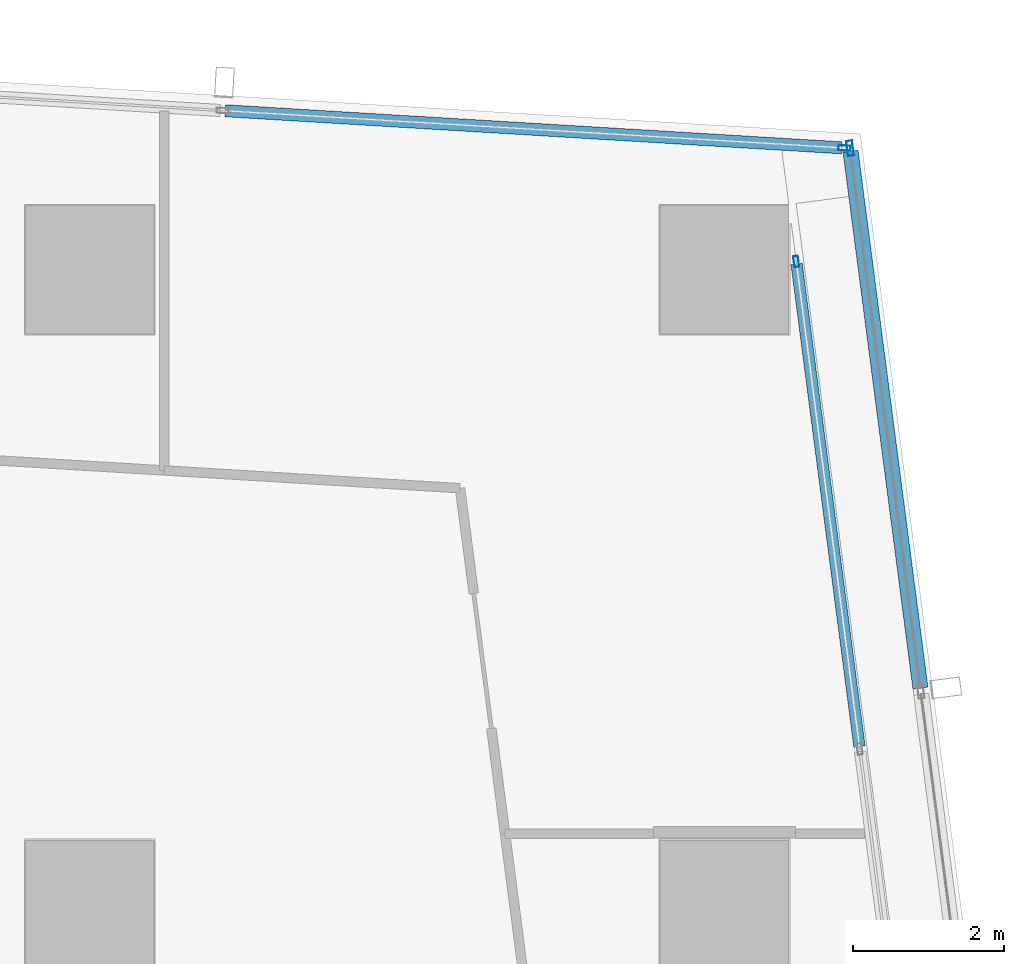
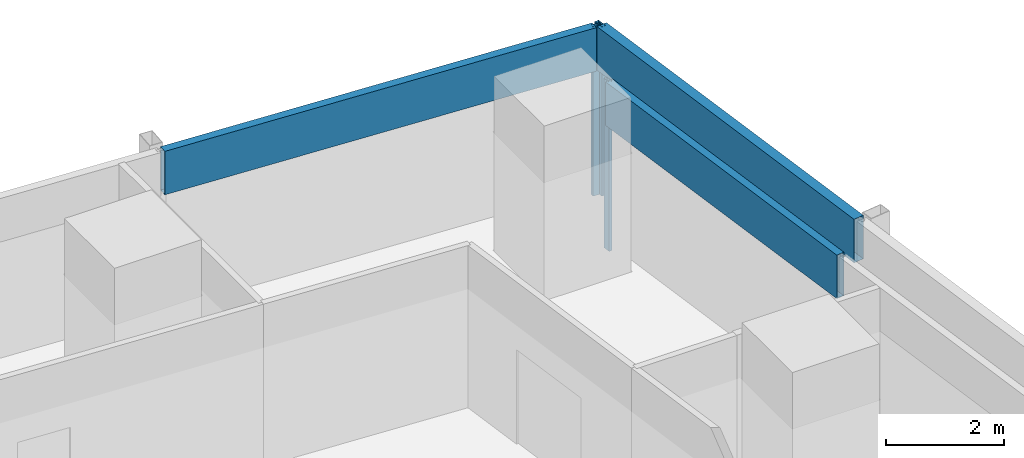
# One storey, part 20 of 38: 6 members, 3 elements without a shape of their own.
"""IFC4 building model written with IfcOpenShell, lengths in metres."""

import ifcopenshell
import ifcopenshell.guid

model = None  # the IFC model being written
_history = None  # IfcOwnerHistory: only IFC2X3 demands one
_inside = {}  # id of a spatial element -> (the spatial element, [elements in it])
_under = {}  # id of a project, library or spatial element -> (it, [spatial elements below it])
_declared = {}  # id of a project -> (the project, [libraries it declares])
_typed = {}  # id of a type object -> (the type object, [elements of that type])
_made_of = {}  # id of a material, layer set ... -> (it, [elements and type objects made of it])


def new_model(schema):
    """Start an empty IFC model of exactly this schema.

    Asked for "IFC4X3", IfcOpenShell would pick the latest addendum, in which some entities
    have other attributes; the version numbers below select the first issue.
    IFC2X3 requires an IfcOwnerHistory on every rooted entity: one is made here for all.
    """
    global model, _history
    if schema == "IFC4X3":
        model = ifcopenshell.file(schema_version=(4, 3, 0, 0))
    else:
        model = ifcopenshell.file(schema=schema)
    _inside.clear()
    _under.clear()
    _declared.clear()
    _typed.clear()
    _made_of.clear()
    _history = None
    if model.schema == "IFC2X3":
        org = make("IfcOrganization", Name="unknown")
        user = make(
            "IfcPersonAndOrganization",
            ThePerson=make("IfcPerson", FamilyName="unknown"),
            TheOrganization=org,
        )
        app = make(
            "IfcApplication",
            ApplicationDeveloper=org,
            Version="unknown",
            ApplicationFullName="unknown",
            ApplicationIdentifier="unknown",
        )
        _history = make(
            "IfcOwnerHistory",
            OwningUser=user,
            OwningApplication=app,
            ChangeAction="ADDED",
            CreationDate=0,
        )
    return model


def make(cls, **values):
    """One entity of the class cls with the attributes given. An attribute that is None is left unset."""
    return model.create_entity(
        cls, **{name: value for name, value in values.items() if value is not None}
    )


def rooted(cls, **values):
    """An entity with a GlobalId (a new one), such as an element, a storey or a relation."""
    return make(cls, GlobalId=ifcopenshell.guid.new(), OwnerHistory=_history, **values)


def si_unit(unit_type, name, prefix=None):
    """IfcSIUnit, for example si_unit("LENGTHUNIT", "METRE", prefix="MILLI")."""
    return make("IfcSIUnit", UnitType=unit_type, Prefix=prefix, Name=name)


def assignment(units):
    """IfcUnitAssignment: the units of a project."""
    return None if units is None else make("IfcUnitAssignment", Units=units)


def point(xyz):
    """IfcCartesianPoint."""
    return None if xyz is None else make("IfcCartesianPoint", Coordinates=xyz)


def direction(xyz):
    """IfcDirection."""
    return None if xyz is None else make("IfcDirection", DirectionRatios=xyz)


def frame(location, z_axis=None, x_axis=None):
    """IfcAxis2Placement3D, a coordinate frame: its origin and axes. An axis left out is left unset."""
    return make(
        "IfcAxis2Placement3D",
        Location=point(location),
        Axis=direction(z_axis),
        RefDirection=direction(x_axis),
    )


def frame_2d(location, x_axis=None):
    """IfcAxis2Placement2D, a coordinate frame in the plane: its origin and x axis."""
    return make(
        "IfcAxis2Placement2D", Location=point(location), RefDirection=direction(x_axis)
    )


def origin():
    """The frame at (0, 0, 0) with its axes left unset."""
    return frame((0.0, 0.0, 0.0))


def origin_2d():
    """The frame at (0, 0) in the plane with its x axis left unset."""
    return frame_2d((0.0, 0.0))


def place(relative_to, where):
    """IfcLocalPlacement: puts the frame where relative to a parent placement (None: the world)."""
    return make(
        "IfcLocalPlacement", PlacementRelTo=relative_to, RelativePlacement=where
    )


def context(
    kind, dimensions, precision=None, world=None, true_north=None, identifier=None
):
    """IfcGeometricRepresentationContext, for example the 3D "Model" context."""
    return make(
        "IfcGeometricRepresentationContext",
        ContextIdentifier=identifier,
        ContextType=kind,
        CoordinateSpaceDimension=dimensions,
        Precision=precision,
        WorldCoordinateSystem=world,
        TrueNorth=true_north,
    )


def subcontext(parent, identifier, kind, view, scale=None):
    """IfcGeometricRepresentationSubContext, for example "Body" below "Model"."""
    return make(
        "IfcGeometricRepresentationSubContext",
        ContextIdentifier=identifier,
        ContextType=kind,
        ParentContext=parent,
        TargetScale=scale,
        TargetView=view,
    )


def project(units=None, contexts=None):
    """IfcProject with its units and contexts."""
    return rooted(
        "IfcProject",
        Name="project",
        RepresentationContexts=contexts,
        UnitsInContext=assignment(units),
    )


def spatial(cls, under=None, at=None, **own):
    """A site, building, storey or space (cls), placed at a placement, below another one or the project."""
    s = rooted(cls, ObjectPlacement=at, **own)
    if under is not None:
        _under.setdefault(under.id(), (under, []))[1].append(s)
    return s


def profile(cls, at=None, kind="AREA", **sizes):
    """A parametric profile (cls). Its sizes go by their IFC names, for example OverallWidth=200.0."""
    return make(cls, ProfileType=kind, Position=at, **sizes)


def hollow_rectangle(**sizes):
    """IfcRectangleHollowProfileDef."""
    return profile("IfcRectangleHollowProfileDef", **sizes)


def extrude(swept, where, along, depth):
    """IfcExtrudedAreaSolid: the profile swept, set in the frame where, extruded along a direction by depth."""
    return make(
        "IfcExtrudedAreaSolid",
        SweptArea=swept,
        Position=where,
        ExtrudedDirection=direction(along),
        Depth=depth,
    )


def shape(context_of_items, identifier, shape_type, items):
    """IfcShapeRepresentation: the items that make up one representation, for example the "Body"."""
    return make(
        "IfcShapeRepresentation",
        ContextOfItems=context_of_items,
        RepresentationIdentifier=identifier,
        RepresentationType=shape_type,
        Items=items,
    )


def material(Name=None, Category=None):
    """IfcMaterial."""
    return make("IfcMaterial", Name=Name, Category=Category)


def material_profile(
    of_material, cross_section, Name=None, Category=None, Priority=None
):
    """IfcMaterialProfile: a cross section and its material."""
    return make(
        "IfcMaterialProfile",
        Name=Name,
        Material=of_material,
        Profile=cross_section,
        Priority=Priority,
        Category=Category,
    )


def profile_set(profiles, Name=None, composite=None):
    """IfcMaterialProfileSet."""
    return make(
        "IfcMaterialProfileSet",
        Name=Name,
        MaterialProfiles=profiles,
        CompositeProfile=composite,
    )


def made_of(thing, what):
    """Note that an element or type object is made of a material, layer set ...; save() writes the relation."""
    if what is not None:
        _made_of.setdefault(what.id(), (what, []))[1].append(thing)
    return thing


def type_object(cls, material=None, **own):
    """A type object (cls), such as IfcWallType, which elements share."""
    return made_of(rooted(cls, **own), material)


def element(
    cls,
    number,
    at=None,
    inside=None,
    cuts=None,
    type_object=None,
    material=None,
    context=None,
    identifier="Body",
    shape_type=None,
    held_by="IfcProductDefinitionShape",
    body=None,
    shapes=None,
    **own,
):
    """One element of the class cls, such as IfcWall. Its Tag is "e" and its number.

    at: its placement. inside: the storey or other place that contains it. cuts: it is an
    opening in that element (IfcRelVoidsElement). A single representation is given by context,
    identifier, shape_type and body (its items); several are given by shapes. held_by: the class
    of the entity that holds the representations. save() writes the other relations.
    """
    e = rooted(cls, Tag="e%d" % number, ObjectPlacement=at, **own)
    if body is not None:
        shapes = [shape(context, identifier, shape_type, body)]
    if shapes is not None:
        e.Representation = make(held_by, Representations=shapes)
    if inside is not None:
        _inside.setdefault(inside.id(), (inside, []))[1].append(e)
    if cuts is not None:
        rooted(
            "IfcRelVoidsElement", RelatingBuildingElement=cuts, RelatedOpeningElement=e
        )
    if type_object is not None:
        _typed.setdefault(type_object.id(), (type_object, []))[1].append(e)
    return made_of(e, material)


def aggregate(whole, parts):
    """IfcRelAggregates: a whole, such as a stair, and the parts it consists of."""
    return rooted("IfcRelAggregates", RelatingObject=whole, RelatedObjects=parts)


def save(model, path):
    """Write the relations noted so far, then the file.

    IfcRelAggregates (storeys below a building ...), IfcRelContainedInSpatialStructure (elements
    in a storey), IfcRelDefinesByType, IfcRelAssociatesMaterial and IfcRelDeclares: one each for
    every whole, place, type object, material and project.
    """
    for whole, parts in _under.values():
        aggregate(whole, parts)
    for where, things in _inside.values():
        rooted(
            "IfcRelContainedInSpatialStructure",
            RelatedElements=things,
            RelatingStructure=where,
        )
    for kind, things in _typed.values():
        rooted("IfcRelDefinesByType", RelatedObjects=things, RelatingType=kind)
    for what, things in _made_of.values():
        rooted("IfcRelAssociatesMaterial", RelatedObjects=things, RelatingMaterial=what)
    for by, libraries in _declared.values():
        rooted("IfcRelDeclares", RelatingContext=by, RelatedDefinitions=libraries)
    model.write(path)


model = new_model("IFC4")

# Units and contexts
model_context = context("Model", 3, precision=1e-05, world=origin(), true_north=direction((0.0, 1.0)))
body_context = subcontext(model_context, "Body", "Model", "MODEL_VIEW")
ifc_project = project(units=[si_unit("LENGTHUNIT", "METRE"), si_unit("AREAUNIT", "SQUARE_METRE"), si_unit("VOLUMEUNIT", "CUBIC_METRE"), si_unit("PLANEANGLEUNIT", "RADIAN"), si_unit("MASSUNIT", "GRAM", prefix="KILO")], contexts=[model_context])

# Site, building, storey
site_placement = place(None, origin())
site = spatial("IfcSite", under=ifc_project, at=site_placement, CompositionType="ELEMENT")
building_placement = place(site_placement, origin())
building = spatial("IfcBuilding", under=site, at=building_placement, Name="Rekha Terrace Tower", CompositionType="ELEMENT")
storey_placement = place(building_placement, frame((0.0, 0.0, 114.050048828125)))
storey = spatial("IfcBuildingStorey", under=building, at=storey_placement, Name="L28", CompositionType="ELEMENT", Elevation=114.050048828125)

# Curtain wall, members
ifc_material_1 = material(Name="Aluminium framing", Category="aluminium")
curtain_wall_type_1 = type_object("IfcCurtainWallType", Name="CW1 double skin inner glazing", PredefinedType="USERDEFINED", material=ifc_material_1)
curtain_wall_1_placement = place(storey_placement, origin())
curtain_wall_1 = element("IfcCurtainWall", 1, at=curtain_wall_1_placement, inside=storey, type_object=curtain_wall_type_1, Name="CW1 double skin inner glazing", ObjectType="DOUBLE SKIN INNER GLAZING", PredefinedType="USERDEFINED")
ifc_material_2 = material(Name="Aluminium mullion section", Category="aluminium")
ifc_material_profile_1 = material_profile(ifc_material_2, hollow_rectangle(XDim=0.06494140625, YDim=0.14990234375, WallThickness=0.00390625, at=origin_2d()), Name="AL RHS 65x150")
ifc_profile_set_1 = profile_set([ifc_material_profile_1], Name="Aluminium mullion section")
member_type_1 = type_object("IfcMemberType", Name="CW1 mullion RHS 65 x 150", PredefinedType="MULLION", material=ifc_profile_set_1)
member_1_placement = place(storey_placement, frame((68.15087890625, 58.910888671875, 0.0), z_axis=(0.0, 0.0, 1.0), x_axis=(-0.991629186237, -0.129118383675, 0.0)))
member_1 = element("IfcMember", 2, at=member_1_placement, type_object=member_type_1, Name="CW1 mullion 3", PredefinedType="MULLION", context=body_context, shape_type="SweptSolid", body=[
    extrude(hollow_rectangle(XDim=0.06494140625, YDim=0.14990234375, WallThickness=0.00390625, at=origin_2d()), origin(), (0.0, 0.0, 1.0), 3.5),
])
ifc_material_3 = material(Name="Insulated aluminium spandrel box", Category="aluminium")
ifc_material_profile_2 = material_profile(ifc_material_3, hollow_rectangle(XDim=0.14990234375, YDim=0.89990234375, WallThickness=0.0029296875, at=origin_2d()), Name="AL SPANDREL BOX 150x900")
ifc_profile_set_2 = profile_set([ifc_material_profile_2], Name="Insulated aluminium spandrel box")
member_type_2 = type_object("IfcMemberType", Name="CW1 spandrel transom 150 x 900", PredefinedType="USERDEFINED", material=ifc_profile_set_2)
member_2_placement = place(storey_placement, frame((68.987060546875, 52.48974609375, 3.050048828125), z_axis=(-0.129102663866, 0.991631232961, 0.0), x_axis=(-0.991631232961, -0.129102663866, 0.0)))
member_2 = element("IfcMember", 3, at=member_2_placement, type_object=member_type_2, Name="CW1 spandrel transom 2", ObjectType="TRANSOM", PredefinedType="USERDEFINED", context=body_context, shape_type="SweptSolid", body=[
    extrude(hollow_rectangle(XDim=0.14990234375, YDim=0.89990234375, WallThickness=0.0029296875, at=origin_2d()), origin(), (0.0, 0.0, 1.0), 6.44287109375),
])
aggregate(curtain_wall_1, [member_1, member_2])

curtain_wall_type_2 = type_object("IfcCurtainWallType", Name="CW2 double skin outer glazing", PredefinedType="USERDEFINED", material=ifc_material_1)
curtain_wall_2_placement = place(storey_placement, origin())
curtain_wall_2 = element("IfcCurtainWall", 4, at=curtain_wall_2_placement, inside=storey, type_object=curtain_wall_type_2, Name="CW2 double skin outer glazing", ObjectType="DOUBLE SKIN OUTER GLAZING", PredefinedType="USERDEFINED")
ifc_material_profile_3 = material_profile(ifc_material_2, hollow_rectangle(XDim=0.080078125, YDim=0.199951171875, WallThickness=0.00390625, at=origin_2d()), Name="AL RHS 80x200")
ifc_profile_set_3 = profile_set([ifc_material_profile_3], Name="Aluminium mullion section")
member_type_3 = type_object("IfcMemberType", Name="CW2 mullion RHS 80 x 200", PredefinedType="MULLION", material=ifc_profile_set_3)
member_3_placement = place(storey_placement, frame((68.863525390625, 60.408447265625, 0.0), z_axis=(0.0, 0.0, 1.0), x_axis=(-0.991629186244, -0.129118383623, 0.0)))
member_3 = element("IfcMember", 5, at=member_3_placement, type_object=member_type_3, Name="CW2 mullion 3", PredefinedType="MULLION", context=body_context, shape_type="SweptSolid", body=[
    extrude(hollow_rectangle(XDim=0.080078125, YDim=0.199951171875, WallThickness=0.00390625, at=origin_2d()), origin(), (0.0, 0.0, 1.0), 3.5),
])
ifc_material_profile_4 = material_profile(ifc_material_3, hollow_rectangle(XDim=0.199951171875, YDim=0.89990234375, WallThickness=0.0029296875, at=origin_2d()), Name="AL SPANDREL BOX 200x900")
ifc_profile_set_4 = profile_set([ifc_material_profile_4], Name="Insulated aluminium spandrel box")
member_type_4 = type_object("IfcMemberType", Name="CW2 spandrel transom 200 x 900", PredefinedType="USERDEFINED", material=ifc_profile_set_4)
member_4_placement = place(storey_placement, frame((69.793701171875, 53.26513671875, 3.050048828125), z_axis=(-0.12912937971, 0.9916277544, 0.0), x_axis=(-0.9916277544, -0.12912937971, 0.0)))
member_4 = element("IfcMember", 6, at=member_4_placement, type_object=member_type_4, Name="CW2 spandrel transom 2", ObjectType="TRANSOM", PredefinedType="USERDEFINED", context=body_context, shape_type="SweptSolid", body=[
    extrude(hollow_rectangle(XDim=0.199951171875, YDim=0.89990234375, WallThickness=0.0029296875, at=origin_2d()), origin(), (0.0, 0.0, 1.0), 7.163818359375),
])
aggregate(curtain_wall_2, [member_3, member_4])

curtain_wall_type_3 = type_object("IfcCurtainWallType", Name="CW3 north unitised glazing", PredefinedType="USERDEFINED", material=ifc_material_1)
curtain_wall_3_placement = place(storey_placement, origin())
curtain_wall_3 = element("IfcCurtainWall", 7, at=curtain_wall_3_placement, inside=storey, type_object=curtain_wall_type_3, Name="CW3 unitised curtain wall", ObjectType="UNITISED CURTAIN WALL", PredefinedType="USERDEFINED")
ifc_material_profile_5 = material_profile(ifc_material_2, hollow_rectangle(XDim=0.070068359375, YDim=0.159912109375, WallThickness=0.00390625, at=origin_2d()), Name="AL RHS 70x160")
ifc_profile_set_5 = profile_set([ifc_material_profile_5], Name="Aluminium mullion section")
member_type_5 = type_object("IfcMemberType", Name="CW3 mullion RHS 70 x 160", PredefinedType="MULLION", material=ifc_profile_set_5)
member_5_placement = place(storey_placement, frame((68.7880859375, 60.412353515625, 0.0), z_axis=(0.0, 0.0, 1.0), x_axis=(-0.059987926837, -0.998199102701, 0.0)))
member_5 = element("IfcMember", 8, at=member_5_placement, type_object=member_type_5, Name="CW3 mullion 1", PredefinedType="MULLION", context=body_context, shape_type="SweptSolid", body=[
    extrude(hollow_rectangle(XDim=0.070068359375, YDim=0.159912109375, WallThickness=0.00390625, at=origin_2d()), origin(), (0.0, 0.0, 1.0), 3.5),
])
ifc_material_profile_6 = material_profile(ifc_material_3, hollow_rectangle(XDim=0.159912109375, YDim=0.89990234375, WallThickness=0.0029296875, at=origin_2d()), Name="AL SPANDREL BOX 160x900")
ifc_profile_set_6 = profile_set([ifc_material_profile_6], Name="Insulated aluminium spandrel box")
member_type_6 = type_object("IfcMemberType", Name="CW3 spandrel transom 160 x 900", PredefinedType="USERDEFINED", material=ifc_profile_set_6)
member_6_placement = place(storey_placement, frame((68.753173828125, 60.41455078125, 3.050048828125), z_axis=(-0.998198874769, 0.05999171951, 0.0), x_axis=(-0.05999171951, -0.998198874769, 0.0)))
member_6 = element("IfcMember", 9, at=member_6_placement, type_object=member_type_6, Name="CW3 spandrel transom 1", ObjectType="TRANSOM", PredefinedType="USERDEFINED", context=body_context, shape_type="SweptSolid", body=[
    extrude(hollow_rectangle(XDim=0.159912109375, YDim=0.89990234375, WallThickness=0.0029296875, at=origin_2d()), origin(), (0.0, 0.0, 1.0), 8.171630859375),
])
aggregate(curtain_wall_3, [member_5, member_6])

save(model, "model.ifc")
